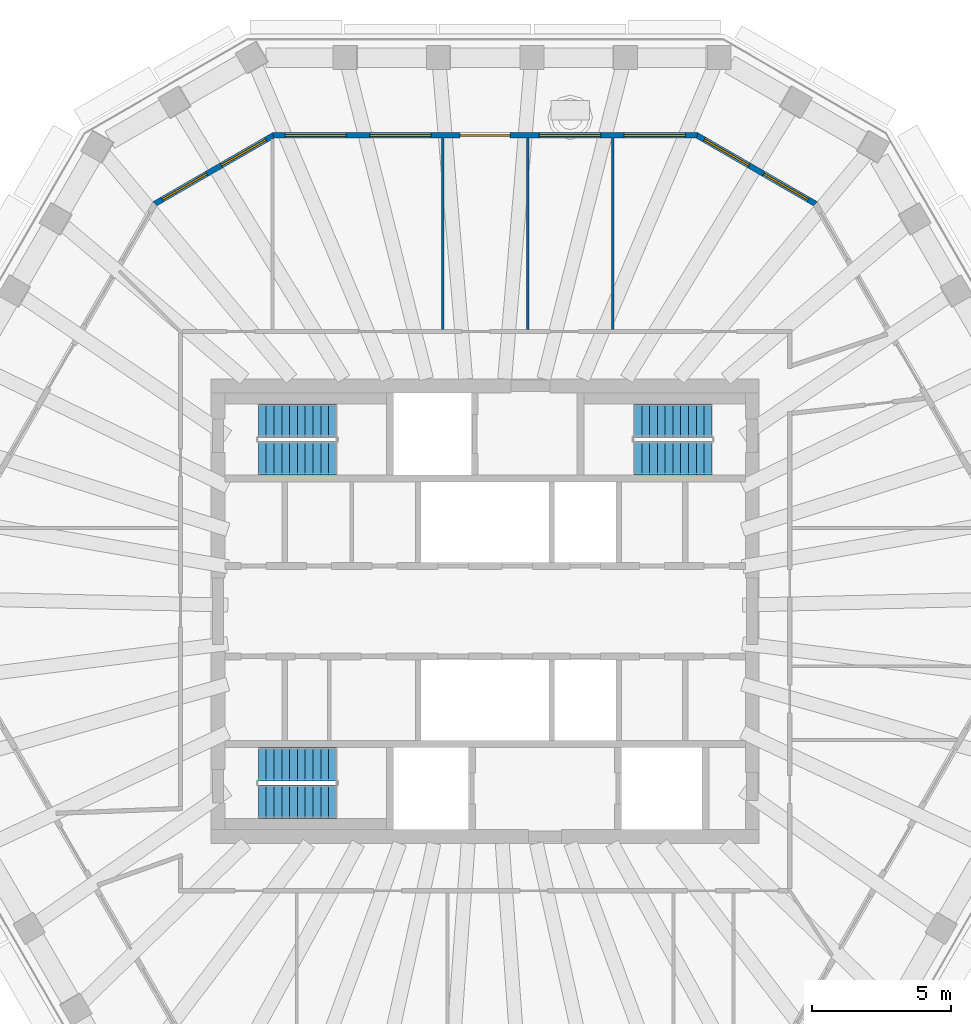
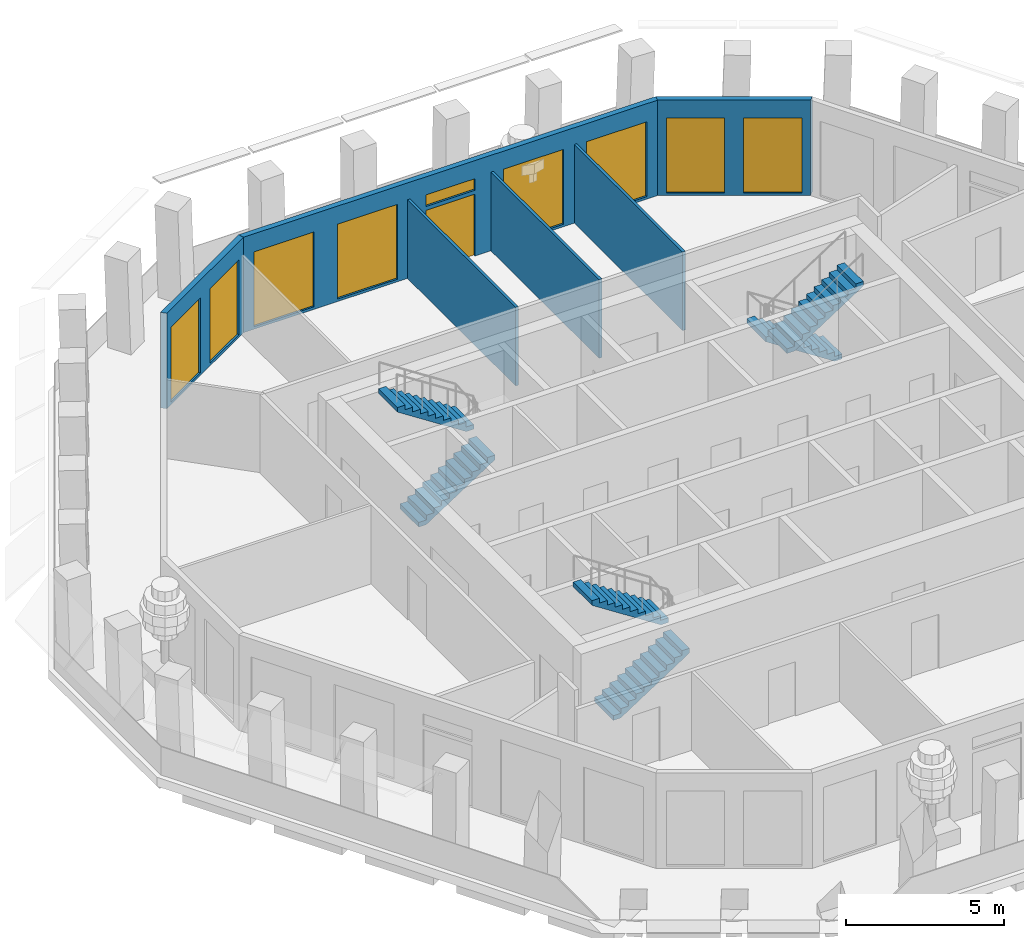
# One storey, part 7 of 11: 9 windows, 6 stair flights, 6 walls, 1 door, 10 openings, 3 elements without a shape of their own.
"""IFC4 building model written with IfcOpenShell, lengths in metres."""

from ifc_helpers import new_model, si_unit, direction, frame, frame_2d, origin, place, context, subcontext, project, spatial, polyline, rectangle, outline, extrude, material, layer, layer_set, type_object, element, fill, aggregate, save


model = new_model("IFC4")

# Units and contexts
model_context = context("Model", 3, precision=1e-05, world=origin(), true_north=direction((0.0, 1.0)))
body_context = subcontext(model_context, "Body", "Model", "MODEL_VIEW")
ifc_project = project(units=[si_unit("LENGTHUNIT", "METRE"), si_unit("AREAUNIT", "SQUARE_METRE"), si_unit("VOLUMEUNIT", "CUBIC_METRE"), si_unit("PLANEANGLEUNIT", "RADIAN"), si_unit("MASSUNIT", "GRAM", prefix="KILO")], contexts=[model_context])

# Site, building, storey
site_placement = place(None, origin())
site = spatial("IfcSite", under=ifc_project, at=site_placement, CompositionType="ELEMENT")
building_placement = place(site_placement, origin())
building = spatial("IfcBuilding", under=site, at=building_placement, Name="Frailejon Research Tower", CompositionType="ELEMENT")
storey_placement = place(building_placement, frame((0.0, 0.0, 324.60009765625)))
storey = spatial("IfcBuildingStorey", under=building, at=storey_placement, Name="L72", CompositionType="ELEMENT", Elevation=324.60009765625)

# Walls
ifc_material_1 = material(Name="Gypsum board and masonry partition", Category="masonry")
ifc_layer_1 = layer(ifc_material_1, 0.10009765625)
ifc_layer_set_1 = layer_set([ifc_layer_1], Name="Partition, gypsum on steel studs 100")
wall_type_1 = type_object("IfcWallType", Name="Partition, gypsum on steel studs 100", PredefinedType="PARTITIONING", material=ifc_layer_set_1)
for number, where, z_axis, x_axis, name in (
    (1, (4.586669921875, 10.125, 0.0), (0.0, 0.0, 1.0), (0.0, 1.0, 0.0), "T:IW:L72:014"),
    (2, (1.52880859375, 10.125, 0.0), (0.0, 0.0, 1.0), (0.0, 1.0, 0.0), "T:IW:L72:015"),
    (3, (-1.52880859375, 10.125, 0.0), (0.0, 0.0, 1.0), (0.0, 1.0, 0.0), "T:IW:L72:016"),
):
    element("IfcWall", number, at=place(storey_placement, frame(where, z_axis=z_axis, x_axis=x_axis)), inside=storey, type_object=wall_type_1, Name=name, PredefinedType="PARTITIONING", context=body_context, shape_type="SweptSolid", body=[
        extrude(rectangle(XDim=6.875, YDim=0.10009765625, at=frame_2d((3.4375, 0.0))), origin(), (0.0, 0.0, 1.0), 3.0498046875),
    ])

# Wall, openings, windows
ifc_material_2 = material(Name="Concrete C40/50 precast window wall panel", Category="concrete")
ifc_layer_2 = layer(ifc_material_2, 0.199951171875)
ifc_layer_set_2 = layer_set([ifc_layer_2], Name="Window wall 200")
wall_type_2 = type_object("IfcWallType", Name="Window wall 200", PredefinedType="SOLIDWALL", material=ifc_layer_set_2)
wall_1_placement = place(storey_placement, frame((11.87109375, 14.644287109375, 0.0), z_axis=(0.0, 0.0, 1.0), x_axis=(-0.86601671623, 0.500015046984, 0.0)))
wall_1 = element("IfcWall", 4, at=wall_1_placement, inside=storey, type_object=wall_type_2, Name="Exterior wall L72", PredefinedType="SOLIDWALL", context=body_context, shape_type="SweptSolid", body=[
    extrude(outline(polyline([(-0.02685546875, -0.10009765625), (1.21435546875, -0.10009765625), (2.45556640625, -0.10009765625), (3.697021484375, -0.10009765625), (4.938232421875, -0.10009765625), (4.884521484375, 0.10009765625), (3.670166015625, 0.10009765625), (2.45556640625, 0.10009765625), (1.2412109375, 0.10009765625), (0.02685546875, 0.10009765625), (-0.02685546875, -0.10009765625)])), origin(), (0.0, 0.0, 1.0), 3.699951171875),
])
opening_1_placement = place(wall_1_placement, frame((0.302978515625, 0.0, 0.10009765625)))
opening_1 = element("IfcOpeningElement", 5, at=opening_1_placement, cuts=wall_1, Name="Opening W26", PredefinedType="OPENING", context=body_context, shape_type="SweptSolid", body=[
    extrude(rectangle(XDim=1.85009765625, YDim=2.89990234375, at=frame_2d((0.925048828125, 1.449951171875))), frame((0.0, 0.10986328125, 0.0), z_axis=(0.0, -1.0, 0.0), x_axis=(1.0, 0.0, 0.0)), (0.0, 0.0, 1.0), 0.219970703125),
])
opening_2_placement = place(wall_1_placement, frame((2.7587890625, 0.0, 0.10009765625)))
opening_2 = element("IfcOpeningElement", 6, at=opening_2_placement, cuts=wall_1, Name="Opening W26", PredefinedType="OPENING", context=body_context, shape_type="SweptSolid", body=[
    extrude(rectangle(XDim=1.85009765625, YDim=2.89990234375, at=frame_2d((0.925048828125, 1.449951171875))), frame((0.0, 0.10986328125, 0.0), z_axis=(0.0, -1.0, 0.0), x_axis=(1.0, 0.0, 0.0)), (0.0, 0.0, 1.0), 0.219970703125),
])
ifc_material_3 = material(Name="Aluminium framed double glazing", Category="aluminium")
window_type_1 = type_object("IfcWindowType", Name="Window 1850x2900", PartitioningType="SINGLE_PANEL", PredefinedType="WINDOW", material=ifc_material_3)
window_1_placement = place(opening_1_placement, origin())
window_1 = element("IfcWindow", 7, at=window_1_placement, inside=storey, type_object=window_type_1, Name="Window L72", OverallHeight=2.89990234375, OverallWidth=1.85009765625, PartitioningType="SINGLE_PANEL", PredefinedType="WINDOW", context=body_context, shape_type="SweptSolid", body=[
    extrude(rectangle(XDim=1.85009765625, YDim=2.89990234375, at=frame_2d((0.925048828125, 1.449951171875))), frame((0.0, 0.030029296875, 0.0), z_axis=(0.0, -1.0, 0.0), x_axis=(1.0, 0.0, 0.0)), (0.0, 0.0, 1.0), 0.06005859375),
])
fill(opening_1, window_1)
window_2_placement = place(opening_2_placement, origin())
window_2 = element("IfcWindow", 8, at=window_2_placement, inside=storey, type_object=window_type_1, Name="Window L72", OverallHeight=2.89990234375, OverallWidth=1.85009765625, PartitioningType="SINGLE_PANEL", PredefinedType="WINDOW", context=body_context, shape_type="SweptSolid", body=[
    extrude(rectangle(XDim=1.85009765625, YDim=2.89990234375, at=frame_2d((0.925048828125, 1.449951171875))), frame((0.0, 0.030029296875, 0.0), z_axis=(0.0, -1.0, 0.0), x_axis=(1.0, 0.0, 0.0)), (0.0, 0.0, 1.0), 0.06005859375),
])
fill(opening_2, window_2)

# Wall, openings, door, windows
wall_2_placement = place(storey_placement, frame((7.61767578125, 17.10009765625, 0.0), z_axis=(0.0, 0.0, 1.0), x_axis=(-1.0, 0.0, 0.0)))
wall_2 = element("IfcWall", 9, at=wall_2_placement, inside=storey, type_object=wall_type_2, Name="Exterior wall L72", PredefinedType="SOLIDWALL", context=body_context, shape_type="SweptSolid", body=[
    extrude(outline(polyline([(-0.02685546875, -0.10009765625), (0.992431640625, -0.10009765625), (2.01171875, -0.10009765625), (3.031005859375, -0.10009765625), (4.05029296875, -0.10009765625), (5.069580078125, -0.10009765625), (6.0888671875, -0.10009765625), (7.108154296875, -0.10009765625), (8.127197265625, -0.10009765625), (9.146484375, -0.10009765625), (10.165771484375, -0.10009765625), (11.18505859375, -0.10009765625), (12.204345703125, -0.10009765625), (13.2236328125, -0.10009765625), (14.242919921875, -0.10009765625), (15.26220703125, -0.10009765625), (15.20849609375, 0.10009765625), (14.1962890625, 0.10009765625), (13.184326171875, 0.10009765625), (12.172119140625, 0.10009765625), (11.16015625, 0.10009765625), (10.14794921875, 0.10009765625), (9.1357421875, 0.10009765625), (8.123779296875, 0.10009765625), (7.111572265625, 0.10009765625), (6.099609375, 0.10009765625), (5.08740234375, 0.10009765625), (4.0751953125, 0.10009765625), (3.063232421875, 0.10009765625), (2.051025390625, 0.10009765625), (1.0390625, 0.10009765625), (0.02685546875, 0.10009765625), (-0.02685546875, -0.10009765625)])), origin(), (0.0, 0.0, 1.0), 3.699951171875),
])
opening_3_placement = place(wall_2_placement, frame((0.423583984375, 0.0, 0.10009765625)))
opening_3 = element("IfcOpeningElement", 10, at=opening_3_placement, cuts=wall_2, Name="Opening W28", PredefinedType="OPENING", context=body_context, shape_type="SweptSolid", body=[
    extrude(rectangle(XDim=2.199951171875, YDim=2.89990234375, at=frame_2d((1.10009765625, 1.449951171875))), frame((0.0, 0.10986328125, 0.0), z_axis=(0.0, -1.0, 0.0), x_axis=(1.0, 0.0, 0.0)), (0.0, 0.0, 1.0), 0.219970703125),
])
opening_4_placement = place(wall_2_placement, frame((3.470458984375, 0.0, 0.10009765625)))
opening_4 = element("IfcOpeningElement", 11, at=opening_4_placement, cuts=wall_2, Name="Opening W28", PredefinedType="OPENING", context=body_context, shape_type="SweptSolid", body=[
    extrude(rectangle(XDim=2.199951171875, YDim=2.89990234375, at=frame_2d((1.10009765625, 1.449951171875))), frame((0.0, 0.10986328125, 0.0), z_axis=(0.0, -1.0, 0.0), x_axis=(1.0, 0.0, 0.0)), (0.0, 0.0, 1.0), 0.219970703125),
])
opening_5_placement = place(wall_2_placement, frame((6.717529296875, 0.0, 0.0)))
opening_5 = element("IfcOpeningElement", 12, at=opening_5_placement, cuts=wall_2, Name="Opening LG72-2", PredefinedType="OPENING", context=body_context, shape_type="SweptSolid", body=[
    extrude(rectangle(XDim=1.800048828125, YDim=2.39990234375, at=frame_2d((0.89990234375, 1.199951171875))), frame((0.0, 0.10986328125, 0.0), z_axis=(0.0, -1.0, 0.0), x_axis=(1.0, 0.0, 0.0)), (0.0, 0.0, 1.0), 0.219970703125),
])
opening_6_placement = place(wall_2_placement, frame((6.717529296875, 0.0, 2.550048828125)))
opening_6 = element("IfcOpeningElement", 13, at=opening_6_placement, cuts=wall_2, Name="Opening W1", PredefinedType="OPENING", context=body_context, shape_type="SweptSolid", body=[
    extrude(rectangle(XDim=1.800048828125, YDim=0.449951171875, at=frame_2d((0.89990234375, 0.22509765625))), frame((0.0, 0.10986328125, 0.0), z_axis=(0.0, -1.0, 0.0), x_axis=(1.0, 0.0, 0.0)), (0.0, 0.0, 1.0), 0.219970703125),
])
opening_7_placement = place(wall_2_placement, frame((9.564697265625, 0.0, 0.10009765625)))
opening_7 = element("IfcOpeningElement", 14, at=opening_7_placement, cuts=wall_2, Name="Opening W28", PredefinedType="OPENING", context=body_context, shape_type="SweptSolid", body=[
    extrude(rectangle(XDim=2.199951171875, YDim=2.89990234375, at=frame_2d((1.10009765625, 1.449951171875))), frame((0.0, 0.10986328125, 0.0), z_axis=(0.0, -1.0, 0.0), x_axis=(1.0, 0.0, 0.0)), (0.0, 0.0, 1.0), 0.219970703125),
])
opening_8_placement = place(wall_2_placement, frame((12.611572265625, 0.0, 0.10009765625)))
opening_8 = element("IfcOpeningElement", 15, at=opening_8_placement, cuts=wall_2, Name="Opening W28", PredefinedType="OPENING", context=body_context, shape_type="SweptSolid", body=[
    extrude(rectangle(XDim=2.199951171875, YDim=2.89990234375, at=frame_2d((1.10009765625, 1.449951171875))), frame((0.0, 0.10986328125, 0.0), z_axis=(0.0, -1.0, 0.0), x_axis=(1.0, 0.0, 0.0)), (0.0, 0.0, 1.0), 0.219970703125),
])
ifc_material_4 = material(Name="Aluminium framed glazed door leaf", Category="aluminium")
door_type = type_object("IfcDoorType", Name="Loggia door 1800x2400", OperationType="DOUBLE_DOOR_SINGLE_SWING", PredefinedType="DOOR", material=ifc_material_4)
door_placement = place(opening_5_placement, origin())
door = element("IfcDoor", 16, at=door_placement, inside=storey, type_object=door_type, Name="Door LG72-2", OperationType="DOUBLE_DOOR_SINGLE_SWING", OverallHeight=2.39990234375, OverallWidth=1.800048828125, PredefinedType="DOOR", context=body_context, shape_type="SweptSolid", body=[
    extrude(rectangle(XDim=1.800048828125, YDim=2.39990234375, at=frame_2d((0.89990234375, 1.199951171875))), frame((0.0, 0.02490234375, 0.0), z_axis=(0.0, -1.0, 0.0), x_axis=(1.0, 0.0, 0.0)), (0.0, 0.0, 1.0), 0.050048828125),
])
fill(opening_5, door)
ifc_material_5 = material(Name="Aluminium framed double glazing", Category="aluminium")
window_type_2 = type_object("IfcWindowType", Name="Window 1800x450", PartitioningType="SINGLE_PANEL", PredefinedType="WINDOW", material=ifc_material_5)
window_3_placement = place(opening_6_placement, origin())
window_3 = element("IfcWindow", 17, at=window_3_placement, inside=storey, type_object=window_type_2, Name="Window L72", OverallHeight=0.449951171875, OverallWidth=1.800048828125, PartitioningType="SINGLE_PANEL", PredefinedType="WINDOW", context=body_context, shape_type="SweptSolid", body=[
    extrude(rectangle(XDim=1.800048828125, YDim=0.449951171875, at=frame_2d((0.89990234375, 0.22509765625))), frame((0.0, 0.030029296875, 0.0), z_axis=(0.0, -1.0, 0.0), x_axis=(1.0, 0.0, 0.0)), (0.0, 0.0, 1.0), 0.06005859375),
])
fill(opening_6, window_3)
ifc_material_6 = material(Name="Aluminium framed double glazing", Category="aluminium")
window_type_3 = type_object("IfcWindowType", Name="Window 2200x2900", PartitioningType="SINGLE_PANEL", PredefinedType="WINDOW", material=ifc_material_6)
window_4_placement = place(opening_3_placement, origin())
window_4 = element("IfcWindow", 18, at=window_4_placement, inside=storey, type_object=window_type_3, Name="Window L72", OverallHeight=2.89990234375, OverallWidth=2.199951171875, PartitioningType="SINGLE_PANEL", PredefinedType="WINDOW", context=body_context, shape_type="SweptSolid", body=[
    extrude(rectangle(XDim=2.199951171875, YDim=2.89990234375, at=frame_2d((1.10009765625, 1.449951171875))), frame((0.0, 0.030029296875, 0.0), z_axis=(0.0, -1.0, 0.0), x_axis=(1.0, 0.0, 0.0)), (0.0, 0.0, 1.0), 0.06005859375),
])
fill(opening_3, window_4)
window_5_placement = place(opening_4_placement, origin())
window_5 = element("IfcWindow", 19, at=window_5_placement, inside=storey, type_object=window_type_3, Name="Window L72", OverallHeight=2.89990234375, OverallWidth=2.199951171875, PartitioningType="SINGLE_PANEL", PredefinedType="WINDOW", context=body_context, shape_type="SweptSolid", body=[
    extrude(rectangle(XDim=2.199951171875, YDim=2.89990234375, at=frame_2d((1.10009765625, 1.449951171875))), frame((0.0, 0.030029296875, 0.0), z_axis=(0.0, -1.0, 0.0), x_axis=(1.0, 0.0, 0.0)), (0.0, 0.0, 1.0), 0.06005859375),
])
fill(opening_4, window_5)
window_6_placement = place(opening_7_placement, origin())
window_6 = element("IfcWindow", 20, at=window_6_placement, inside=storey, type_object=window_type_3, Name="Window L72", OverallHeight=2.89990234375, OverallWidth=2.199951171875, PartitioningType="SINGLE_PANEL", PredefinedType="WINDOW", context=body_context, shape_type="SweptSolid", body=[
    extrude(rectangle(XDim=2.199951171875, YDim=2.89990234375, at=frame_2d((1.10009765625, 1.449951171875))), frame((0.0, 0.030029296875, 0.0), z_axis=(0.0, -1.0, 0.0), x_axis=(1.0, 0.0, 0.0)), (0.0, 0.0, 1.0), 0.06005859375),
])
fill(opening_7, window_6)
window_7_placement = place(opening_8_placement, origin())
window_7 = element("IfcWindow", 21, at=window_7_placement, inside=storey, type_object=window_type_3, Name="Window L72", OverallHeight=2.89990234375, OverallWidth=2.199951171875, PartitioningType="SINGLE_PANEL", PredefinedType="WINDOW", context=body_context, shape_type="SweptSolid", body=[
    extrude(rectangle(XDim=2.199951171875, YDim=2.89990234375, at=frame_2d((1.10009765625, 1.449951171875))), frame((0.0, 0.030029296875, 0.0), z_axis=(0.0, -1.0, 0.0), x_axis=(1.0, 0.0, 0.0)), (0.0, 0.0, 1.0), 0.06005859375),
])
fill(opening_8, window_7)

# Wall, openings, windows
wall_3_placement = place(storey_placement, frame((-7.61767578125, 17.10009765625, 0.0), z_axis=(0.0, 0.0, 1.0), x_axis=(-0.86601671623, -0.500015046984, 0.0)))
wall_3 = element("IfcWall", 22, at=wall_3_placement, inside=storey, type_object=wall_type_2, Name="Exterior wall L72", PredefinedType="SOLIDWALL", context=body_context, shape_type="SweptSolid", body=[
    extrude(outline(polyline([(-0.02685546875, -0.10009765625), (1.21435546875, -0.10009765625), (2.45556640625, -0.10009765625), (3.697021484375, -0.10009765625), (4.938232421875, -0.10009765625), (4.884521484375, 0.10009765625), (3.670166015625, 0.10009765625), (2.45556640625, 0.10009765625), (1.2412109375, 0.10009765625), (0.02685546875, 0.10009765625), (-0.02685546875, -0.10009765625)])), origin(), (0.0, 0.0, 1.0), 3.699951171875),
])
opening_9_placement = place(wall_3_placement, frame((0.302978515625, 0.0, 0.10009765625)))
opening_9 = element("IfcOpeningElement", 23, at=opening_9_placement, cuts=wall_3, Name="Opening W26", PredefinedType="OPENING", context=body_context, shape_type="SweptSolid", body=[
    extrude(rectangle(XDim=1.85009765625, YDim=2.89990234375, at=frame_2d((0.925048828125, 1.449951171875))), frame((0.0, 0.10986328125, 0.0), z_axis=(0.0, -1.0, 0.0), x_axis=(1.0, 0.0, 0.0)), (0.0, 0.0, 1.0), 0.219970703125),
])
opening_10_placement = place(wall_3_placement, frame((2.7587890625, 0.0, 0.10009765625)))
opening_10 = element("IfcOpeningElement", 24, at=opening_10_placement, cuts=wall_3, Name="Opening W26", PredefinedType="OPENING", context=body_context, shape_type="SweptSolid", body=[
    extrude(rectangle(XDim=1.85009765625, YDim=2.89990234375, at=frame_2d((0.925048828125, 1.449951171875))), frame((0.0, 0.10986328125, 0.0), z_axis=(0.0, -1.0, 0.0), x_axis=(1.0, 0.0, 0.0)), (0.0, 0.0, 1.0), 0.219970703125),
])
window_8_placement = place(opening_9_placement, origin())
window_8 = element("IfcWindow", 25, at=window_8_placement, inside=storey, type_object=window_type_1, Name="Window L72", OverallHeight=2.89990234375, OverallWidth=1.85009765625, PartitioningType="SINGLE_PANEL", PredefinedType="WINDOW", context=body_context, shape_type="SweptSolid", body=[
    extrude(rectangle(XDim=1.85009765625, YDim=2.89990234375, at=frame_2d((0.925048828125, 1.449951171875))), frame((0.0, 0.030029296875, 0.0), z_axis=(0.0, -1.0, 0.0), x_axis=(1.0, 0.0, 0.0)), (0.0, 0.0, 1.0), 0.06005859375),
])
fill(opening_9, window_8)
window_9_placement = place(opening_10_placement, origin())
window_9 = element("IfcWindow", 26, at=window_9_placement, inside=storey, type_object=window_type_1, Name="Window L72", OverallHeight=2.89990234375, OverallWidth=1.85009765625, PartitioningType="SINGLE_PANEL", PredefinedType="WINDOW", context=body_context, shape_type="SweptSolid", body=[
    extrude(rectangle(XDim=1.85009765625, YDim=2.89990234375, at=frame_2d((0.925048828125, 1.449951171875))), frame((0.0, 0.030029296875, 0.0), z_axis=(0.0, -1.0, 0.0), x_axis=(1.0, 0.0, 0.0)), (0.0, 0.0, 1.0), 0.06005859375),
])
fill(opening_10, window_9)

# Stair, stair flights
ifc_material_7 = material(Name="Concrete C50/60", Category="concrete")
stair_type = type_object("IfcStairType", Name="Exit stair 22 risers", PredefinedType="HALF_TURN_STAIR", material=ifc_material_7)
stair_1_placement = place(storey_placement, origin())
stair_1 = element("IfcStair", 27, at=stair_1_placement, inside=storey, type_object=stair_type, Name="L72 Exit stair ST1", PredefinedType="HALF_TURN_STAIR")
ifc_material_8 = material(Name="Concrete C50/60", Category="concrete")
ifc_layer_3 = layer(ifc_material_8, 0.14990234375)
ifc_layer_set_3 = layer_set([ifc_layer_3], Name="Stair flight 11 risers")
stair_flight_type = type_object("IfcStairFlightType", Name="Stair flight 11 risers", PredefinedType="STRAIGHT", material=ifc_layer_set_3)
stair_flight_1_placement = place(storey_placement, frame((-8.14990234375, 5.5, 0.0), z_axis=(0.0, 0.0, 1.0), x_axis=(1.0, 0.0, 0.0)))
stair_flight_1 = element("IfcStairFlight", 28, at=stair_flight_1_placement, type_object=stair_flight_type, Name="ST1 flight 1", NumberOfRisers=11, NumberOfTreads=10, PredefinedType="STRAIGHT", RiserHeight=0.181818182, TreadLength=0.28, context=body_context, shape_type="SweptSolid", body=[
    extrude(outline(polyline([(0.0, 0.0), (0.0, 0.181884765625), (0.280029296875, 0.181884765625), (0.280029296875, 0.363525390625), (0.56005859375, 0.363525390625), (0.56005859375, 0.54541015625), (0.840087890625, 0.54541015625), (0.840087890625, 0.727294921875), (1.1201171875, 0.727294921875), (1.1201171875, 0.9091796875), (1.39990234375, 0.9091796875), (1.39990234375, 1.0908203125), (1.679931640625, 1.0908203125), (1.679931640625, 1.272705078125), (1.9599609375, 1.272705078125), (1.9599609375, 1.45458984375), (2.239990234375, 1.45458984375), (2.239990234375, 1.636474609375), (2.52001953125, 1.636474609375), (2.52001953125, 1.818115234375), (2.800048828125, 1.818115234375), (2.800048828125, 2.0), (2.800048828125, 1.639404296875), (0.275146484375, 0.0), (0.0, 0.0)])), frame((0.0, 0.60009765625, 0.0), z_axis=(0.0, -1.0, 0.0), x_axis=(1.0, 0.0, 0.0)), (0.0, 0.0, 1.0), 1.199951171875),
])
stair_flight_2_placement = place(storey_placement, frame((-5.35009765625, 6.85009765625, 2.0), z_axis=(0.0, 0.0, 1.0), x_axis=(-1.0, 0.0, 0.0)))
stair_flight_2 = element("IfcStairFlight", 29, at=stair_flight_2_placement, type_object=stair_flight_type, Name="ST1 flight 2", NumberOfRisers=11, NumberOfTreads=10, PredefinedType="STRAIGHT", RiserHeight=0.181818182, TreadLength=0.28, context=body_context, shape_type="SweptSolid", body=[
    extrude(outline(polyline([(0.0, 0.0), (0.0, 0.181884765625), (0.280029296875, 0.181884765625), (0.280029296875, 0.363525390625), (0.56005859375, 0.363525390625), (0.56005859375, 0.54541015625), (0.840087890625, 0.54541015625), (0.840087890625, 0.727294921875), (1.1201171875, 0.727294921875), (1.1201171875, 0.9091796875), (1.39990234375, 0.9091796875), (1.39990234375, 1.0908203125), (1.679931640625, 1.0908203125), (1.679931640625, 1.272705078125), (1.9599609375, 1.272705078125), (1.9599609375, 1.45458984375), (2.239990234375, 1.45458984375), (2.239990234375, 1.636474609375), (2.52001953125, 1.636474609375), (2.52001953125, 1.818115234375), (2.800048828125, 1.818115234375), (2.800048828125, 2.0), (2.800048828125, 1.639404296875), (0.275146484375, 0.0), (0.0, 0.0)])), frame((0.0, 0.60009765625, 0.0), z_axis=(0.0, -1.0, 0.0), x_axis=(1.0, 0.0, 0.0)), (0.0, 0.0, 1.0), 1.199951171875),
])
aggregate(stair_1, [stair_flight_1, stair_flight_2])

stair_2_placement = place(storey_placement, origin())
stair_2 = element("IfcStair", 30, at=stair_2_placement, inside=storey, type_object=stair_type, Name="L72 Exit stair ST2", PredefinedType="HALF_TURN_STAIR")
stair_flight_3_placement = place(storey_placement, frame((-8.14990234375, -6.85009765625, 0.0), z_axis=(0.0, 0.0, 1.0), x_axis=(1.0, 0.0, 0.0)))
stair_flight_3 = element("IfcStairFlight", 31, at=stair_flight_3_placement, type_object=stair_flight_type, Name="ST2 flight 1", NumberOfRisers=11, NumberOfTreads=10, PredefinedType="STRAIGHT", RiserHeight=0.181818182, TreadLength=0.28, context=body_context, shape_type="SweptSolid", body=[
    extrude(outline(polyline([(0.0, 0.0), (0.0, 0.181884765625), (0.280029296875, 0.181884765625), (0.280029296875, 0.363525390625), (0.56005859375, 0.363525390625), (0.56005859375, 0.54541015625), (0.840087890625, 0.54541015625), (0.840087890625, 0.727294921875), (1.1201171875, 0.727294921875), (1.1201171875, 0.9091796875), (1.39990234375, 0.9091796875), (1.39990234375, 1.0908203125), (1.679931640625, 1.0908203125), (1.679931640625, 1.272705078125), (1.9599609375, 1.272705078125), (1.9599609375, 1.45458984375), (2.239990234375, 1.45458984375), (2.239990234375, 1.636474609375), (2.52001953125, 1.636474609375), (2.52001953125, 1.818115234375), (2.800048828125, 1.818115234375), (2.800048828125, 2.0), (2.800048828125, 1.639404296875), (0.275146484375, 0.0), (0.0, 0.0)])), frame((0.0, 0.60009765625, 0.0), z_axis=(0.0, -1.0, 0.0), x_axis=(1.0, 0.0, 0.0)), (0.0, 0.0, 1.0), 1.199951171875),
])
stair_flight_4_placement = place(storey_placement, frame((-5.35009765625, -5.5, 2.0), z_axis=(0.0, 0.0, 1.0), x_axis=(-1.0, 0.0, 0.0)))
stair_flight_4 = element("IfcStairFlight", 32, at=stair_flight_4_placement, type_object=stair_flight_type, Name="ST2 flight 2", NumberOfRisers=11, NumberOfTreads=10, PredefinedType="STRAIGHT", RiserHeight=0.181818182, TreadLength=0.28, context=body_context, shape_type="SweptSolid", body=[
    extrude(outline(polyline([(0.0, 0.0), (0.0, 0.181884765625), (0.280029296875, 0.181884765625), (0.280029296875, 0.363525390625), (0.56005859375, 0.363525390625), (0.56005859375, 0.54541015625), (0.840087890625, 0.54541015625), (0.840087890625, 0.727294921875), (1.1201171875, 0.727294921875), (1.1201171875, 0.9091796875), (1.39990234375, 0.9091796875), (1.39990234375, 1.0908203125), (1.679931640625, 1.0908203125), (1.679931640625, 1.272705078125), (1.9599609375, 1.272705078125), (1.9599609375, 1.45458984375), (2.239990234375, 1.45458984375), (2.239990234375, 1.636474609375), (2.52001953125, 1.636474609375), (2.52001953125, 1.818115234375), (2.800048828125, 1.818115234375), (2.800048828125, 2.0), (2.800048828125, 1.639404296875), (0.275146484375, 0.0), (0.0, 0.0)])), frame((0.0, 0.60009765625, 0.0), z_axis=(0.0, -1.0, 0.0), x_axis=(1.0, 0.0, 0.0)), (0.0, 0.0, 1.0), 1.199951171875),
])
aggregate(stair_2, [stair_flight_3, stair_flight_4])

stair_3_placement = place(storey_placement, origin())
stair_3 = element("IfcStair", 33, at=stair_3_placement, inside=storey, type_object=stair_type, Name="L72 Exit stair ST3", PredefinedType="HALF_TURN_STAIR")
stair_flight_5_placement = place(storey_placement, frame((8.14990234375, 6.85009765625, 0.0), z_axis=(0.0, 0.0, 1.0), x_axis=(-1.0, 0.0, 0.0)))
stair_flight_5 = element("IfcStairFlight", 34, at=stair_flight_5_placement, type_object=stair_flight_type, Name="ST3 flight 1", NumberOfRisers=11, NumberOfTreads=10, PredefinedType="STRAIGHT", RiserHeight=0.181818182, TreadLength=0.28, context=body_context, shape_type="SweptSolid", body=[
    extrude(outline(polyline([(0.0, 0.0), (0.0, 0.181884765625), (0.280029296875, 0.181884765625), (0.280029296875, 0.363525390625), (0.56005859375, 0.363525390625), (0.56005859375, 0.54541015625), (0.840087890625, 0.54541015625), (0.840087890625, 0.727294921875), (1.1201171875, 0.727294921875), (1.1201171875, 0.9091796875), (1.39990234375, 0.9091796875), (1.39990234375, 1.0908203125), (1.679931640625, 1.0908203125), (1.679931640625, 1.272705078125), (1.9599609375, 1.272705078125), (1.9599609375, 1.45458984375), (2.239990234375, 1.45458984375), (2.239990234375, 1.636474609375), (2.52001953125, 1.636474609375), (2.52001953125, 1.818115234375), (2.800048828125, 1.818115234375), (2.800048828125, 2.0), (2.800048828125, 1.639404296875), (0.275146484375, 0.0), (0.0, 0.0)])), frame((0.0, 0.60009765625, 0.0), z_axis=(0.0, -1.0, 0.0), x_axis=(1.0, 0.0, 0.0)), (0.0, 0.0, 1.0), 1.199951171875),
])
stair_flight_6_placement = place(storey_placement, frame((5.35009765625, 5.5, 2.0), z_axis=(0.0, 0.0, 1.0), x_axis=(1.0, 0.0, 0.0)))
stair_flight_6 = element("IfcStairFlight", 35, at=stair_flight_6_placement, type_object=stair_flight_type, Name="ST3 flight 2", NumberOfRisers=11, NumberOfTreads=10, PredefinedType="STRAIGHT", RiserHeight=0.181818182, TreadLength=0.28, context=body_context, shape_type="SweptSolid", body=[
    extrude(outline(polyline([(0.0, 0.0), (0.0, 0.181884765625), (0.280029296875, 0.181884765625), (0.280029296875, 0.363525390625), (0.56005859375, 0.363525390625), (0.56005859375, 0.54541015625), (0.840087890625, 0.54541015625), (0.840087890625, 0.727294921875), (1.1201171875, 0.727294921875), (1.1201171875, 0.9091796875), (1.39990234375, 0.9091796875), (1.39990234375, 1.0908203125), (1.679931640625, 1.0908203125), (1.679931640625, 1.272705078125), (1.9599609375, 1.272705078125), (1.9599609375, 1.45458984375), (2.239990234375, 1.45458984375), (2.239990234375, 1.636474609375), (2.52001953125, 1.636474609375), (2.52001953125, 1.818115234375), (2.800048828125, 1.818115234375), (2.800048828125, 2.0), (2.800048828125, 1.639404296875), (0.275146484375, 0.0), (0.0, 0.0)])), frame((0.0, 0.60009765625, 0.0), z_axis=(0.0, -1.0, 0.0), x_axis=(1.0, 0.0, 0.0)), (0.0, 0.0, 1.0), 1.199951171875),
])
aggregate(stair_3, [stair_flight_5, stair_flight_6])

save(model, "model.ifc")
